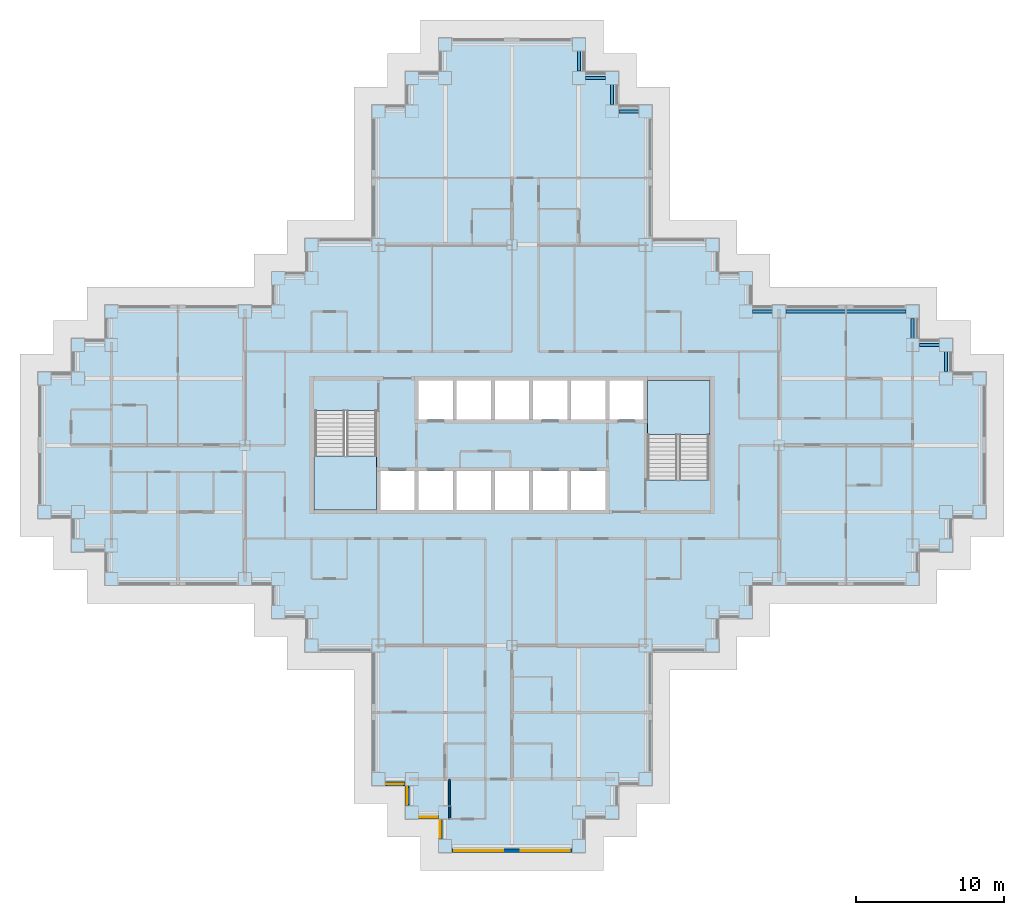
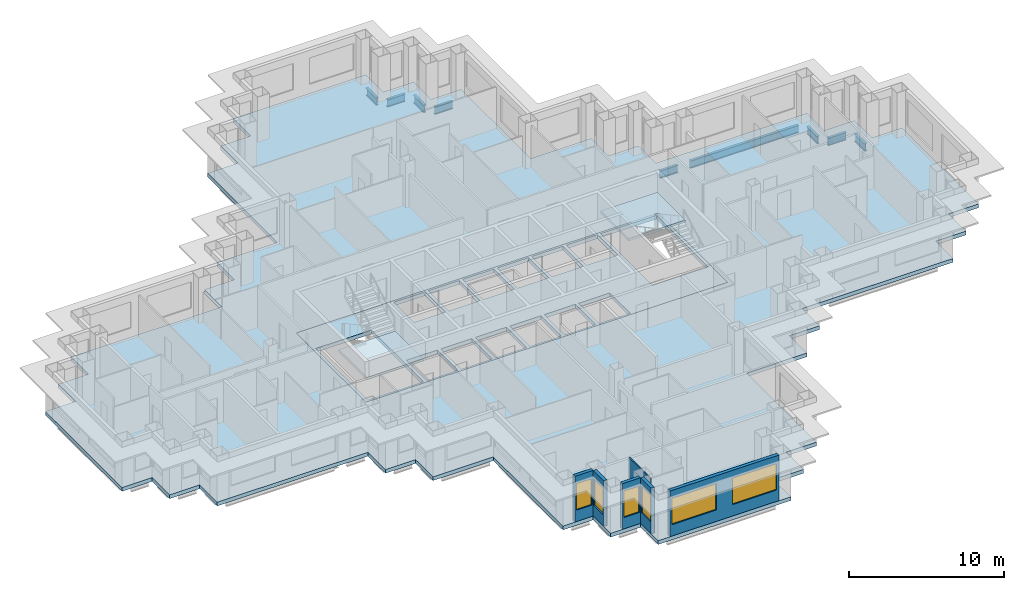
# One storey, part 2 of 15: 9 beams, 6 walls, 6 windows, 4 slabs, 6 openings, 2 elements without a shape of their own.
"""IFC4 building model written with IfcOpenShell, lengths in metres."""

import ifcopenshell
import ifcopenshell.guid

model = None  # the IFC model being written
_history = None  # IfcOwnerHistory: only IFC2X3 demands one
_inside = {}  # id of a spatial element -> (the spatial element, [elements in it])
_under = {}  # id of a project, library or spatial element -> (it, [spatial elements below it])
_declared = {}  # id of a project -> (the project, [libraries it declares])
_typed = {}  # id of a type object -> (the type object, [elements of that type])
_made_of = {}  # id of a material, layer set ... -> (it, [elements and type objects made of it])


def new_model(schema):
    """Start an empty IFC model of exactly this schema.

    Asked for "IFC4X3", IfcOpenShell would pick the latest addendum, in which some entities
    have other attributes; the version numbers below select the first issue.
    IFC2X3 requires an IfcOwnerHistory on every rooted entity: one is made here for all.
    """
    global model, _history
    if schema == "IFC4X3":
        model = ifcopenshell.file(schema_version=(4, 3, 0, 0))
    else:
        model = ifcopenshell.file(schema=schema)
    _inside.clear()
    _under.clear()
    _declared.clear()
    _typed.clear()
    _made_of.clear()
    _history = None
    if model.schema == "IFC2X3":
        org = make("IfcOrganization", Name="unknown")
        user = make(
            "IfcPersonAndOrganization",
            ThePerson=make("IfcPerson", FamilyName="unknown"),
            TheOrganization=org,
        )
        app = make(
            "IfcApplication",
            ApplicationDeveloper=org,
            Version="unknown",
            ApplicationFullName="unknown",
            ApplicationIdentifier="unknown",
        )
        _history = make(
            "IfcOwnerHistory",
            OwningUser=user,
            OwningApplication=app,
            ChangeAction="ADDED",
            CreationDate=0,
        )
    return model


def make(cls, **values):
    """One entity of the class cls with the attributes given. An attribute that is None is left unset."""
    return model.create_entity(
        cls, **{name: value for name, value in values.items() if value is not None}
    )


def rooted(cls, **values):
    """An entity with a GlobalId (a new one), such as an element, a storey or a relation."""
    return make(cls, GlobalId=ifcopenshell.guid.new(), OwnerHistory=_history, **values)


def si_unit(unit_type, name, prefix=None):
    """IfcSIUnit, for example si_unit("LENGTHUNIT", "METRE", prefix="MILLI")."""
    return make("IfcSIUnit", UnitType=unit_type, Prefix=prefix, Name=name)


def assignment(units):
    """IfcUnitAssignment: the units of a project."""
    return None if units is None else make("IfcUnitAssignment", Units=units)


def point(xyz):
    """IfcCartesianPoint."""
    return None if xyz is None else make("IfcCartesianPoint", Coordinates=xyz)


def direction(xyz):
    """IfcDirection."""
    return None if xyz is None else make("IfcDirection", DirectionRatios=xyz)


def frame(location, z_axis=None, x_axis=None):
    """IfcAxis2Placement3D, a coordinate frame: its origin and axes. An axis left out is left unset."""
    return make(
        "IfcAxis2Placement3D",
        Location=point(location),
        Axis=direction(z_axis),
        RefDirection=direction(x_axis),
    )


def frame_2d(location, x_axis=None):
    """IfcAxis2Placement2D, a coordinate frame in the plane: its origin and x axis."""
    return make(
        "IfcAxis2Placement2D", Location=point(location), RefDirection=direction(x_axis)
    )


def origin():
    """The frame at (0, 0, 0) with its axes left unset."""
    return frame((0.0, 0.0, 0.0))


def origin_2d():
    """The frame at (0, 0) in the plane with its x axis left unset."""
    return frame_2d((0.0, 0.0))


def place(relative_to, where):
    """IfcLocalPlacement: puts the frame where relative to a parent placement (None: the world)."""
    return make(
        "IfcLocalPlacement", PlacementRelTo=relative_to, RelativePlacement=where
    )


def context(
    kind, dimensions, precision=None, world=None, true_north=None, identifier=None
):
    """IfcGeometricRepresentationContext, for example the 3D "Model" context."""
    return make(
        "IfcGeometricRepresentationContext",
        ContextIdentifier=identifier,
        ContextType=kind,
        CoordinateSpaceDimension=dimensions,
        Precision=precision,
        WorldCoordinateSystem=world,
        TrueNorth=true_north,
    )


def subcontext(parent, identifier, kind, view, scale=None):
    """IfcGeometricRepresentationSubContext, for example "Body" below "Model"."""
    return make(
        "IfcGeometricRepresentationSubContext",
        ContextIdentifier=identifier,
        ContextType=kind,
        ParentContext=parent,
        TargetScale=scale,
        TargetView=view,
    )


def project(units=None, contexts=None):
    """IfcProject with its units and contexts."""
    return rooted(
        "IfcProject",
        Name="project",
        RepresentationContexts=contexts,
        UnitsInContext=assignment(units),
    )


def spatial(cls, under=None, at=None, **own):
    """A site, building, storey or space (cls), placed at a placement, below another one or the project."""
    s = rooted(cls, ObjectPlacement=at, **own)
    if under is not None:
        _under.setdefault(under.id(), (under, []))[1].append(s)
    return s


def polyline(points):
    """IfcPolyline through the points."""
    return make("IfcPolyline", Points=[point(p) for p in points])


def profile(cls, at=None, kind="AREA", **sizes):
    """A parametric profile (cls). Its sizes go by their IFC names, for example OverallWidth=200.0."""
    return make(cls, ProfileType=kind, Position=at, **sizes)


def rectangle(**sizes):
    """IfcRectangleProfileDef."""
    return profile("IfcRectangleProfileDef", **sizes)


def i_section(**sizes):
    """IfcIShapeProfileDef."""
    return profile("IfcIShapeProfileDef", **sizes)


def outline(outer, holes=None, kind="AREA"):
    """IfcArbitraryClosedProfileDef: a profile drawn as a closed curve; with holes, ...WithVoids."""
    if holes is None:
        return make("IfcArbitraryClosedProfileDef", ProfileType=kind, OuterCurve=outer)
    return make(
        "IfcArbitraryProfileDefWithVoids",
        ProfileType=kind,
        OuterCurve=outer,
        InnerCurves=holes,
    )


def extrude(swept, where, along, depth):
    """IfcExtrudedAreaSolid: the profile swept, set in the frame where, extruded along a direction by depth."""
    return make(
        "IfcExtrudedAreaSolid",
        SweptArea=swept,
        Position=where,
        ExtrudedDirection=direction(along),
        Depth=depth,
    )


def shape(context_of_items, identifier, shape_type, items):
    """IfcShapeRepresentation: the items that make up one representation, for example the "Body"."""
    return make(
        "IfcShapeRepresentation",
        ContextOfItems=context_of_items,
        RepresentationIdentifier=identifier,
        RepresentationType=shape_type,
        Items=items,
    )


def material(Name=None, Category=None):
    """IfcMaterial."""
    return make("IfcMaterial", Name=Name, Category=Category)


def layer(
    of_material, thickness, ventilated=None, Name=None, Category=None, Priority=None
):
    """IfcMaterialLayer: one layer of a wall or slab, of a material (None: an air gap)."""
    return make(
        "IfcMaterialLayer",
        Material=of_material,
        LayerThickness=thickness,
        IsVentilated=ventilated,
        Name=Name,
        Category=Category,
        Priority=Priority,
    )


def layer_set(layers, Name=None):
    """IfcMaterialLayerSet."""
    return make("IfcMaterialLayerSet", MaterialLayers=layers, LayerSetName=Name)


def material_profile(
    of_material, cross_section, Name=None, Category=None, Priority=None
):
    """IfcMaterialProfile: a cross section and its material."""
    return make(
        "IfcMaterialProfile",
        Name=Name,
        Material=of_material,
        Profile=cross_section,
        Priority=Priority,
        Category=Category,
    )


def profile_set(profiles, Name=None, composite=None):
    """IfcMaterialProfileSet."""
    return make(
        "IfcMaterialProfileSet",
        Name=Name,
        MaterialProfiles=profiles,
        CompositeProfile=composite,
    )


def made_of(thing, what):
    """Note that an element or type object is made of a material, layer set ...; save() writes the relation."""
    if what is not None:
        _made_of.setdefault(what.id(), (what, []))[1].append(thing)
    return thing


def type_object(cls, material=None, **own):
    """A type object (cls), such as IfcWallType, which elements share."""
    return made_of(rooted(cls, **own), material)


def element(
    cls,
    number,
    at=None,
    inside=None,
    cuts=None,
    type_object=None,
    material=None,
    context=None,
    identifier="Body",
    shape_type=None,
    held_by="IfcProductDefinitionShape",
    body=None,
    shapes=None,
    **own,
):
    """One element of the class cls, such as IfcWall. Its Tag is "e" and its number.

    at: its placement. inside: the storey or other place that contains it. cuts: it is an
    opening in that element (IfcRelVoidsElement). A single representation is given by context,
    identifier, shape_type and body (its items); several are given by shapes. held_by: the class
    of the entity that holds the representations. save() writes the other relations.
    """
    e = rooted(cls, Tag="e%d" % number, ObjectPlacement=at, **own)
    if body is not None:
        shapes = [shape(context, identifier, shape_type, body)]
    if shapes is not None:
        e.Representation = make(held_by, Representations=shapes)
    if inside is not None:
        _inside.setdefault(inside.id(), (inside, []))[1].append(e)
    if cuts is not None:
        rooted(
            "IfcRelVoidsElement", RelatingBuildingElement=cuts, RelatedOpeningElement=e
        )
    if type_object is not None:
        _typed.setdefault(type_object.id(), (type_object, []))[1].append(e)
    return made_of(e, material)


def fill(opening, filler):
    """IfcRelFillsElement: the door or window that sits in an opening."""
    return rooted(
        "IfcRelFillsElement",
        RelatingOpeningElement=opening,
        RelatedBuildingElement=filler,
    )


def aggregate(whole, parts):
    """IfcRelAggregates: a whole, such as a stair, and the parts it consists of."""
    return rooted("IfcRelAggregates", RelatingObject=whole, RelatedObjects=parts)


def save(model, path):
    """Write the relations noted so far, then the file.

    IfcRelAggregates (storeys below a building ...), IfcRelContainedInSpatialStructure (elements
    in a storey), IfcRelDefinesByType, IfcRelAssociatesMaterial and IfcRelDeclares: one each for
    every whole, place, type object, material and project.
    """
    for whole, parts in _under.values():
        aggregate(whole, parts)
    for where, things in _inside.values():
        rooted(
            "IfcRelContainedInSpatialStructure",
            RelatedElements=things,
            RelatingStructure=where,
        )
    for kind, things in _typed.values():
        rooted("IfcRelDefinesByType", RelatedObjects=things, RelatingType=kind)
    for what, things in _made_of.values():
        rooted("IfcRelAssociatesMaterial", RelatedObjects=things, RelatingMaterial=what)
    for by, libraries in _declared.values():
        rooted("IfcRelDeclares", RelatingContext=by, RelatedDefinitions=libraries)
    model.write(path)


model = new_model("IFC4")

# Units and contexts
model_context = context("Model", 3, precision=1e-05, world=origin(), true_north=direction((0.0, 1.0)))
body_context = subcontext(model_context, "Body", "Model", "MODEL_VIEW")
ifc_project = project(units=[si_unit("LENGTHUNIT", "METRE"), si_unit("AREAUNIT", "SQUARE_METRE"), si_unit("VOLUMEUNIT", "CUBIC_METRE"), si_unit("PLANEANGLEUNIT", "RADIAN"), si_unit("MASSUNIT", "GRAM", prefix="KILO")], contexts=[model_context])

# Site, building, storey
site_placement = place(None, origin())
site = spatial("IfcSite", under=ifc_project, at=site_placement, CompositionType="ELEMENT")
building_placement = place(site_placement, origin())
building = spatial("IfcBuilding", under=site, at=building_placement, Name="Caravel Reach Hotel and Residences", CompositionType="ELEMENT")
storey_placement = place(building_placement, frame((0.0, 0.0, 108.0)))
storey = spatial("IfcBuildingStorey", under=building, at=storey_placement, Name="L26", CompositionType="ELEMENT", Elevation=108.0)

# Beams
ifc_material_1 = material(Name="Structural steel Q355B", Category="steel")
ifc_material_profile = material_profile(ifc_material_1, i_section(OverallWidth=0.199951171875, OverallDepth=0.60009765625, WebThickness=0.010986328125, FlangeThickness=0.01708984375, FilletRadius=0.012939453125, at=origin_2d()), Name="HN 600x200x11x17")
ifc_profile_set = profile_set([ifc_material_profile], Name="Structural steel Q355B")
beam_type = type_object("IfcBeamType", Name="Spandrel beam HN 600x200x11x17", PredefinedType="SPANDREL", material=ifc_profile_set)
for number, where, z_axis, x_axis, name in (
    (1, (60.75, 31.949951171875, -0.60009765625), (0.0, 1.0, 0.0), (-1.0, 0.0, 0.0), "SP1 HN 600x200x11x17"),
    (2, (60.300048828125, 33.75, -0.60009765625), (-1.0, 0.0, 0.0), (0.0, -1.0, 0.0), "SP1 HN 600x200x11x17"),
    (3, (58.5, 34.199951171875, -0.60009765625), (0.0, 1.0, 0.0), (-1.0, 0.0, 0.0), "SP1 HN 600x200x11x17"),
):
    element("IfcBeam", number, at=place(storey_placement, frame(where, z_axis=z_axis, x_axis=x_axis)), inside=storey, type_object=beam_type, Name=name, PredefinedType="SPANDREL", context=body_context, shape_type="SweptSolid", body=[
        extrude(i_section(OverallWidth=0.199951171875, OverallDepth=0.60009765625, WebThickness=0.010986328125, FlangeThickness=0.01708984375, FilletRadius=0.012939453125, at=origin_2d()), origin(), (0.0, 0.0, 1.0), 1.35009765625),
    ])
beam_placement = place(storey_placement, frame((58.050048828125, 36.0, -0.60009765625), z_axis=(-1.0, 0.0, 0.0), x_axis=(0.0, -1.0, 0.0)))
element("IfcBeam", 4, at=beam_placement, inside=storey, type_object=beam_type, Name="SP1 HN 600x200x11x17", PredefinedType="SPANDREL", context=body_context, shape_type="SweptSolid", body=[
    extrude(i_section(OverallWidth=0.199951171875, OverallDepth=0.60009765625, WebThickness=0.010986328125, FlangeThickness=0.01708984375, FilletRadius=0.012939453125, at=origin_2d()), origin(), (0.0, 0.0, 1.0), 8.10009765625),
])
for number, where, z_axis, x_axis, name in (
    (5, (49.050048828125, 36.0, -0.60009765625), (-1.0, 0.0, 0.0), (0.0, -1.0, 0.0), "SP1 HN 600x200x11x17"),
    (6, (40.050048828125, 49.5, -0.60009765625), (-1.0, 0.0, 0.0), (0.0, -1.0, 0.0), "SP1 HN 600x200x11x17"),
    (7, (38.25, 49.949951171875, -0.60009765625), (0.0, 1.0, 0.0), (-1.0, 0.0, 0.0), "SP1 HN 600x200x11x17"),
    (8, (37.800048828125, 51.75, -0.60009765625), (-1.0, 0.0, 0.0), (0.0, -1.0, 0.0), "SP1 HN 600x200x11x17"),
    (9, (36.0, 52.199951171875, -0.60009765625), (0.0, 1.0, 0.0), (-1.0, 0.0, 0.0), "SP1 HN 600x200x11x17"),
):
    element("IfcBeam", number, at=place(storey_placement, frame(where, z_axis=z_axis, x_axis=x_axis)), inside=storey, type_object=beam_type, Name=name, PredefinedType="SPANDREL", context=body_context, shape_type="SweptSolid", body=[
        extrude(i_section(OverallWidth=0.199951171875, OverallDepth=0.60009765625, WebThickness=0.010986328125, FlangeThickness=0.01708984375, FilletRadius=0.012939453125, at=origin_2d()), origin(), (0.0, 0.0, 1.0), 1.35009765625),
    ])

# Slab
ifc_material_2 = material(Name="Concrete C40", Category="concrete")
ifc_layer_1 = layer(ifc_material_2, 0.300048828125)
ifc_layer_set_1 = layer_set([ifc_layer_1], Name="Core floor slab 300 mm")
slab_type_1 = type_object("IfcSlabType", Name="Core floor slab 300 mm", PredefinedType="FLOOR", material=ifc_layer_set_1)
slab_1_placement = place(storey_placement, frame((0.0, 0.0, -0.300048828125)))
element("IfcSlab", 10, at=slab_1_placement, inside=storey, type_object=slab_type_1, Name="L26 core floor", PredefinedType="FLOOR", context=body_context, shape_type="SweptSolid", body=[
    extrude(outline(polyline([(18.0, 31.5), (45.0, 31.5), (45.0, 22.5), (18.0, 22.5), (18.0, 31.5)]), holes=[polyline([(22.625, 25.27490234375), (22.625, 22.64990234375), (24.9462890625, 22.64990234375), (24.9462890625, 25.27490234375), (22.625, 25.27490234375)]), polyline([(27.517822265625, 25.27490234375), (25.1962890625, 25.27490234375), (25.1962890625, 22.64990234375), (27.517822265625, 22.64990234375), (27.517822265625, 25.27490234375)]), polyline([(30.08935546875, 25.27490234375), (27.767822265625, 25.27490234375), (27.767822265625, 22.64990234375), (30.08935546875, 22.64990234375), (30.08935546875, 25.27490234375)]), polyline([(32.66064453125, 25.27490234375), (30.33935546875, 25.27490234375), (30.33935546875, 22.64990234375), (32.66064453125, 22.64990234375), (32.66064453125, 25.27490234375)]), polyline([(18.22509765625, 22.64990234375), (22.375, 22.64990234375), (22.375, 29.35009765625), (18.22509765625, 29.35009765625), (18.22509765625, 22.64990234375)]), polyline([(27.517822265625, 31.35009765625), (25.1962890625, 31.35009765625), (25.1962890625, 28.72509765625), (27.517822265625, 28.72509765625), (27.517822265625, 31.35009765625)]), polyline([(30.08935546875, 31.35009765625), (27.767822265625, 31.35009765625), (27.767822265625, 28.72509765625), (30.08935546875, 28.72509765625), (30.08935546875, 31.35009765625)]), polyline([(32.91064453125, 25.27490234375), (32.91064453125, 22.64990234375), (35.232177734375, 22.64990234375), (35.232177734375, 25.27490234375), (32.91064453125, 25.27490234375)]), polyline([(37.8037109375, 25.27490234375), (35.482177734375, 25.27490234375), (35.482177734375, 22.64990234375), (37.8037109375, 22.64990234375), (37.8037109375, 25.27490234375)]), polyline([(44.77490234375, 31.35009765625), (40.625, 31.35009765625), (40.625, 24.64990234375), (44.77490234375, 24.64990234375), (44.77490234375, 31.35009765625)]), polyline([(32.66064453125, 31.35009765625), (30.33935546875, 31.35009765625), (30.33935546875, 28.72509765625), (32.66064453125, 28.72509765625), (32.66064453125, 31.35009765625)]), polyline([(35.232177734375, 31.35009765625), (32.91064453125, 31.35009765625), (32.91064453125, 28.72509765625), (35.232177734375, 28.72509765625), (35.232177734375, 31.35009765625)]), polyline([(37.8037109375, 31.35009765625), (35.482177734375, 31.35009765625), (35.482177734375, 28.72509765625), (37.8037109375, 28.72509765625), (37.8037109375, 31.35009765625)]), polyline([(40.375, 31.35009765625), (38.0537109375, 31.35009765625), (38.0537109375, 28.72509765625), (40.375, 28.72509765625), (40.375, 31.35009765625)])]), origin(), (0.0, 0.0, 1.0), 0.300048828125),
])

# Stair, slab
ifc_material_3 = material(Name="Concrete C40", Category="concrete")
stair_type = type_object("IfcStairType", Name="Core stair", PredefinedType="HALF_TURN_STAIR", material=ifc_material_3)
stair_1_placement = place(storey_placement, origin())
stair_1 = element("IfcStair", 11, at=stair_1_placement, inside=storey, type_object=stair_type, Name="L26 Exit stair A", PredefinedType="HALF_TURN_STAIR")
ifc_material_4 = material(Name="Concrete C40", Category="concrete")
ifc_layer_2 = layer(ifc_material_4, 0.199951171875)
ifc_layer_set_2 = layer_set([ifc_layer_2], Name="Core stair landing")
slab_type_2 = type_object("IfcSlabType", Name="Core stair landing", PredefinedType="LANDING", material=ifc_layer_set_2)
slab_2_placement = place(storey_placement, frame((0.0, 0.0, 1.60009765625)))
slab_2 = element("IfcSlab", 12, at=slab_2_placement, type_object=slab_type_2, Name="ST-A landing 1", PredefinedType="LANDING", context=body_context, shape_type="SweptSolid", body=[
    extrude(outline(polyline([(18.14990234375, 26.27001953125), (18.14990234375, 22.64990234375), (22.375, 22.64990234375), (22.375, 26.27001953125), (18.14990234375, 26.27001953125)])), origin(), (0.0, 0.0, 1.0), 0.199951171875),
])
aggregate(stair_1, [slab_2])

stair_2_placement = place(storey_placement, origin())
stair_2 = element("IfcStair", 13, at=stair_2_placement, inside=storey, type_object=stair_type, Name="L26 Exit stair B", PredefinedType="HALF_TURN_STAIR")
slab_3_placement = place(storey_placement, frame((0.0, 0.0, 1.60009765625)))
slab_3 = element("IfcSlab", 14, at=slab_3_placement, type_object=slab_type_2, Name="ST-B landing 1", PredefinedType="LANDING", context=body_context, shape_type="SweptSolid", body=[
    extrude(outline(polyline([(44.85009765625, 27.72998046875), (44.85009765625, 31.35009765625), (40.625, 31.35009765625), (40.625, 27.72998046875), (44.85009765625, 27.72998046875)])), origin(), (0.0, 0.0, 1.0), 0.199951171875),
])
aggregate(stair_2, [slab_3])

# Slab
ifc_material_5 = material(Name="Concrete C40 post-tensioned", Category="concrete")
ifc_layer_3 = layer(ifc_material_5, 0.300048828125)
ifc_layer_set_3 = layer_set([ifc_layer_3], Name="Floor slab 300")
slab_type_3 = type_object("IfcSlabType", Name="Floor slab 300", PredefinedType="FLOOR", material=ifc_layer_set_3)
slab_4_placement = place(storey_placement, frame((0.0, 0.0, -0.300048828125)))
element("IfcSlab", 15, at=slab_4_placement, inside=storey, type_object=slab_type_3, Name="S2 slab L26", PredefinedType="FLOOR", context=body_context, shape_type="SweptSolid", body=[
    extrude(outline(polyline([(17.550048828125, 13.050048828125), (17.550048828125, 15.300048828125), (15.300048828125, 15.300048828125), (15.300048828125, 17.550048828125), (4.050048828125, 17.550048828125), (4.050048828125, 19.800048828125), (1.800048828125, 19.800048828125), (1.800048828125, 22.050048828125), (-0.449951171875, 22.050048828125), (-0.449951171875, 31.949951171875), (1.800048828125, 31.949951171875), (1.800048828125, 34.199951171875), (4.050048828125, 34.199951171875), (4.050048828125, 36.449951171875), (15.300048828125, 36.449951171875), (15.300048828125, 38.699951171875), (17.550048828125, 38.699951171875), (17.550048828125, 40.949951171875), (22.050048828125, 40.949951171875), (22.050048828125, 49.949951171875), (24.300048828125, 49.949951171875), (24.300048828125, 52.199951171875), (26.550048828125, 52.199951171875), (26.550048828125, 54.449951171875), (36.449951171875, 54.449951171875), (36.449951171875, 52.199951171875), (38.699951171875, 52.199951171875), (38.699951171875, 49.949951171875), (40.949951171875, 49.949951171875), (40.949951171875, 40.949951171875), (45.449951171875, 40.949951171875), (45.449951171875, 38.699951171875), (47.699951171875, 38.699951171875), (47.699951171875, 36.449951171875), (58.949951171875, 36.449951171875), (58.949951171875, 34.199951171875), (61.199951171875, 34.199951171875), (61.199951171875, 31.949951171875), (63.449951171875, 31.949951171875), (63.449951171875, 22.050048828125), (61.199951171875, 22.050048828125), (61.199951171875, 19.800048828125), (58.949951171875, 19.800048828125), (58.949951171875, 17.550048828125), (47.699951171875, 17.550048828125), (47.699951171875, 15.300048828125), (45.449951171875, 15.300048828125), (45.449951171875, 13.050048828125), (40.949951171875, 13.050048828125), (40.949951171875, 4.050048828125), (38.699951171875, 4.050048828125), (38.699951171875, 1.800048828125), (36.449951171875, 1.800048828125), (36.449951171875, -0.449951171875), (26.550048828125, -0.449951171875), (26.550048828125, 1.800048828125), (24.300048828125, 1.800048828125), (24.300048828125, 4.050048828125), (22.050048828125, 4.050048828125), (22.050048828125, 13.050048828125), (17.550048828125, 13.050048828125)]), holes=[polyline([(45.0, 31.5), (18.0, 31.5), (18.0, 22.5), (45.0, 22.5), (45.0, 31.5)])]), origin(), (0.0, 0.0, 1.0), 0.300048828125),
])

# Wall
ifc_material_6 = material(Name="Gypsum board on steel stud", Category="steel")
ifc_layer_4 = layer(ifc_material_6, 0.10009765625)
ifc_layer_set_4 = layer_set([ifc_layer_4], Name="Bathroom pod wall 100 mm")
wall_type_1 = type_object("IfcWallType", Name="Bathroom pod wall 100 mm", PredefinedType="PARTITIONING", material=ifc_layer_set_4)
wall_1_placement = place(storey_placement, frame((27.300048828125, 1.800048828125, 0.0), z_axis=(0.0, 0.0, 1.0), x_axis=(0.0, 1.0, 0.0)))
element("IfcWall", 16, at=wall_1_placement, inside=storey, type_object=wall_type_1, Name="L26 wall w105", PredefinedType="PARTITIONING", context=body_context, shape_type="SweptSolid", body=[
    extrude(rectangle(XDim=2.699951171875, YDim=0.10009765625, at=frame_2d((1.35009765625, 0.0))), origin(), (0.0, 0.0, 1.0), 3.300048828125),
])

# Wall, opening, window
ifc_material_7 = material(Name="Insulated rainscreen wall, aluminium cladding", Category="aluminium")
ifc_layer_5 = layer(ifc_material_7, 0.25)
ifc_layer_set_5 = layer_set([ifc_layer_5], Name="EW1 Tower rainscreen wall")
wall_type_2 = type_object("IfcWallType", Name="EW1 Tower rainscreen wall", PredefinedType="SOLIDWALL", material=ifc_layer_set_5)
wall_2_placement = place(storey_placement, frame((22.949951171875, 4.175048828125, 0.0), z_axis=(0.0, 0.0, 1.0), x_axis=(1.0, 0.0, 0.0)))
wall_2 = element("IfcWall", 17, at=wall_2_placement, inside=storey, type_object=wall_type_2, Name="External wall L26 S1.1", PredefinedType="SOLIDWALL", context=body_context, shape_type="SweptSolid", body=[
    extrude(rectangle(XDim=1.35009765625, YDim=0.25, at=frame_2d((0.675048828125, 0.0))), origin(), (0.0, 0.0, 1.0), 3.60009765625),
])
opening_1_placement = place(wall_2_placement, frame((0.10009765625, 0.0, 0.89990234375)))
opening_1 = element("IfcOpeningElement", 18, at=opening_1_placement, cuts=wall_2, Name="Opening WN8", PredefinedType="OPENING", context=body_context, shape_type="SweptSolid", body=[
    extrude(rectangle(XDim=1.14990234375, YDim=2.080078125, at=frame_2d((0.574951171875, 1.0400390625))), frame((0.0, 0.135009765625, 0.0), z_axis=(0.0, -1.0, 0.0), x_axis=(1.0, 0.0, 0.0)), (0.0, 0.0, 1.0), 0.27001953125),
])
ifc_material_8 = material(Name="Dark low-e glazing in black aluminium frame", Category="aluminium")
window_type_1 = type_object("IfcWindowType", Name="Hotel suite corner window 1150 x 2080", PartitioningType="SINGLE_PANEL", PredefinedType="WINDOW", material=ifc_material_8)
window_1_placement = place(opening_1_placement, origin())
window_1 = element("IfcWindow", 19, at=window_1_placement, inside=storey, type_object=window_type_1, Name="Window L26 S1.1.1", OverallHeight=2.080078125, OverallWidth=1.14990234375, PartitioningType="SINGLE_PANEL", PredefinedType="WINDOW", context=body_context, shape_type="SweptSolid", body=[
    extrude(rectangle(XDim=1.14990234375, YDim=2.080078125, at=frame_2d((0.574951171875, 1.0400390625))), frame((0.0, 0.030029296875, 0.0), z_axis=(0.0, -1.0, 0.0), x_axis=(1.0, 0.0, 0.0)), (0.0, 0.0, 1.0), 0.06005859375),
])
fill(opening_1, window_1)

wall_3_placement = place(storey_placement, frame((24.425048828125, 4.050048828125, 0.0), z_axis=(0.0, 0.0, 1.0), x_axis=(0.0, -1.0, 0.0)))
wall_3 = element("IfcWall", 20, at=wall_3_placement, inside=storey, type_object=wall_type_2, Name="External wall L26 W2.1", PredefinedType="SOLIDWALL", context=body_context, shape_type="SweptSolid", body=[
    extrude(rectangle(XDim=1.35009765625, YDim=0.25, at=frame_2d((0.675048828125, 0.0))), origin(), (0.0, 0.0, 1.0), 3.60009765625),
])
opening_2_placement = place(wall_3_placement, frame((0.10009765625, 0.0, 0.89990234375)))
opening_2 = element("IfcOpeningElement", 21, at=opening_2_placement, cuts=wall_3, Name="Opening WN8", PredefinedType="OPENING", context=body_context, shape_type="SweptSolid", body=[
    extrude(rectangle(XDim=1.14990234375, YDim=2.080078125, at=frame_2d((0.574951171875, 1.0400390625))), frame((0.0, 0.135009765625, 0.0), z_axis=(0.0, -1.0, 0.0), x_axis=(1.0, 0.0, 0.0)), (0.0, 0.0, 1.0), 0.27001953125),
])
window_2_placement = place(opening_2_placement, origin())
window_2 = element("IfcWindow", 22, at=window_2_placement, inside=storey, type_object=window_type_1, Name="Window L26 W2.1.1", OverallHeight=2.080078125, OverallWidth=1.14990234375, PartitioningType="SINGLE_PANEL", PredefinedType="WINDOW", context=body_context, shape_type="SweptSolid", body=[
    extrude(rectangle(XDim=1.14990234375, YDim=2.080078125, at=frame_2d((0.574951171875, 1.0400390625))), frame((0.0, 0.030029296875, 0.0), z_axis=(0.0, -1.0, 0.0), x_axis=(1.0, 0.0, 0.0)), (0.0, 0.0, 1.0), 0.06005859375),
])
fill(opening_2, window_2)

wall_4_placement = place(storey_placement, frame((25.199951171875, 1.925048828125, 0.0), z_axis=(0.0, 0.0, 1.0), x_axis=(1.0, 0.0, 0.0)))
wall_4 = element("IfcWall", 23, at=wall_4_placement, inside=storey, type_object=wall_type_2, Name="External wall L26 S3.1", PredefinedType="SOLIDWALL", context=body_context, shape_type="SweptSolid", body=[
    extrude(rectangle(XDim=1.35009765625, YDim=0.25, at=frame_2d((0.675048828125, 0.0))), origin(), (0.0, 0.0, 1.0), 3.60009765625),
])
opening_3_placement = place(wall_4_placement, frame((0.10009765625, 0.0, 0.89990234375)))
opening_3 = element("IfcOpeningElement", 24, at=opening_3_placement, cuts=wall_4, Name="Opening WN8", PredefinedType="OPENING", context=body_context, shape_type="SweptSolid", body=[
    extrude(rectangle(XDim=1.14990234375, YDim=2.080078125, at=frame_2d((0.574951171875, 1.0400390625))), frame((0.0, 0.135009765625, 0.0), z_axis=(0.0, -1.0, 0.0), x_axis=(1.0, 0.0, 0.0)), (0.0, 0.0, 1.0), 0.27001953125),
])
window_3_placement = place(opening_3_placement, origin())
window_3 = element("IfcWindow", 25, at=window_3_placement, inside=storey, type_object=window_type_1, Name="Window L26 S3.1.1", OverallHeight=2.080078125, OverallWidth=1.14990234375, PartitioningType="SINGLE_PANEL", PredefinedType="WINDOW", context=body_context, shape_type="SweptSolid", body=[
    extrude(rectangle(XDim=1.14990234375, YDim=2.080078125, at=frame_2d((0.574951171875, 1.0400390625))), frame((0.0, 0.030029296875, 0.0), z_axis=(0.0, -1.0, 0.0), x_axis=(1.0, 0.0, 0.0)), (0.0, 0.0, 1.0), 0.06005859375),
])
fill(opening_3, window_3)

wall_5_placement = place(storey_placement, frame((26.675048828125, 1.800048828125, 0.0), z_axis=(0.0, 0.0, 1.0), x_axis=(0.0, -1.0, 0.0)))
wall_5 = element("IfcWall", 26, at=wall_5_placement, inside=storey, type_object=wall_type_2, Name="External wall L26 W4.1", PredefinedType="SOLIDWALL", context=body_context, shape_type="SweptSolid", body=[
    extrude(rectangle(XDim=1.35009765625, YDim=0.25, at=frame_2d((0.675048828125, 0.0))), origin(), (0.0, 0.0, 1.0), 3.60009765625),
])
opening_4_placement = place(wall_5_placement, frame((0.10009765625, 0.0, 0.89990234375)))
opening_4 = element("IfcOpeningElement", 27, at=opening_4_placement, cuts=wall_5, Name="Opening WN8", PredefinedType="OPENING", context=body_context, shape_type="SweptSolid", body=[
    extrude(rectangle(XDim=1.14990234375, YDim=2.080078125, at=frame_2d((0.574951171875, 1.0400390625))), frame((0.0, 0.135009765625, 0.0), z_axis=(0.0, -1.0, 0.0), x_axis=(1.0, 0.0, 0.0)), (0.0, 0.0, 1.0), 0.27001953125),
])
window_4_placement = place(opening_4_placement, origin())
window_4 = element("IfcWindow", 28, at=window_4_placement, inside=storey, type_object=window_type_1, Name="Window L26 W4.1.1", OverallHeight=2.080078125, OverallWidth=1.14990234375, PartitioningType="SINGLE_PANEL", PredefinedType="WINDOW", context=body_context, shape_type="SweptSolid", body=[
    extrude(rectangle(XDim=1.14990234375, YDim=2.080078125, at=frame_2d((0.574951171875, 1.0400390625))), frame((0.0, 0.030029296875, 0.0), z_axis=(0.0, -1.0, 0.0), x_axis=(1.0, 0.0, 0.0)), (0.0, 0.0, 1.0), 0.06005859375),
])
fill(opening_4, window_4)

# Wall, openings, windows
wall_6_placement = place(storey_placement, frame((27.449951171875, -0.324951171875, 0.0), z_axis=(0.0, 0.0, 1.0), x_axis=(1.0, 0.0, 0.0)))
wall_6 = element("IfcWall", 29, at=wall_6_placement, inside=storey, type_object=wall_type_2, Name="External wall L26 S5.1", PredefinedType="SOLIDWALL", context=body_context, shape_type="SweptSolid", body=[
    extrude(rectangle(XDim=8.10009765625, YDim=0.25, at=frame_2d((4.050048828125, 0.0))), origin(), (0.0, 0.0, 1.0), 3.60009765625),
])
opening_5_placement = place(wall_6_placement, frame((0.14990234375, 0.0, 0.89990234375)))
opening_5 = element("IfcOpeningElement", 30, at=opening_5_placement, cuts=wall_6, Name="Opening WN4", PredefinedType="OPENING", context=body_context, shape_type="SweptSolid", body=[
    extrude(rectangle(XDim=3.300048828125, YDim=2.080078125, at=frame_2d((1.64990234375, 1.0400390625))), frame((0.0, 0.135009765625, 0.0), z_axis=(0.0, -1.0, 0.0), x_axis=(1.0, 0.0, 0.0)), (0.0, 0.0, 1.0), 0.27001953125),
])
opening_6_placement = place(wall_6_placement, frame((4.64990234375, 0.0, 0.89990234375)))
opening_6 = element("IfcOpeningElement", 31, at=opening_6_placement, cuts=wall_6, Name="Opening WN4", PredefinedType="OPENING", context=body_context, shape_type="SweptSolid", body=[
    extrude(rectangle(XDim=3.300048828125, YDim=2.080078125, at=frame_2d((1.64990234375, 1.0400390625))), frame((0.0, 0.135009765625, 0.0), z_axis=(0.0, -1.0, 0.0), x_axis=(1.0, 0.0, 0.0)), (0.0, 0.0, 1.0), 0.27001953125),
])
ifc_material_9 = material(Name="Dark low-e glazing in black aluminium frame", Category="aluminium")
window_type_2 = type_object("IfcWindowType", Name="Hotel guest room window 3300 x 2080", PartitioningType="SINGLE_PANEL", PredefinedType="WINDOW", material=ifc_material_9)
window_5_placement = place(opening_5_placement, origin())
window_5 = element("IfcWindow", 32, at=window_5_placement, inside=storey, type_object=window_type_2, Name="Window L26 S5.1.1", OverallHeight=2.080078125, OverallWidth=3.300048828125, PartitioningType="SINGLE_PANEL", PredefinedType="WINDOW", context=body_context, shape_type="SweptSolid", body=[
    extrude(rectangle(XDim=3.300048828125, YDim=2.080078125, at=frame_2d((1.64990234375, 1.0400390625))), frame((0.0, 0.030029296875, 0.0), z_axis=(0.0, -1.0, 0.0), x_axis=(1.0, 0.0, 0.0)), (0.0, 0.0, 1.0), 0.06005859375),
])
fill(opening_5, window_5)
window_6_placement = place(opening_6_placement, origin())
window_6 = element("IfcWindow", 33, at=window_6_placement, inside=storey, type_object=window_type_2, Name="Window L26 S5.1.2", OverallHeight=2.080078125, OverallWidth=3.300048828125, PartitioningType="SINGLE_PANEL", PredefinedType="WINDOW", context=body_context, shape_type="SweptSolid", body=[
    extrude(rectangle(XDim=3.300048828125, YDim=2.080078125, at=frame_2d((1.64990234375, 1.0400390625))), frame((0.0, 0.030029296875, 0.0), z_axis=(0.0, -1.0, 0.0), x_axis=(1.0, 0.0, 0.0)), (0.0, 0.0, 1.0), 0.06005859375),
])
fill(opening_6, window_6)

save(model, "model.ifc")
